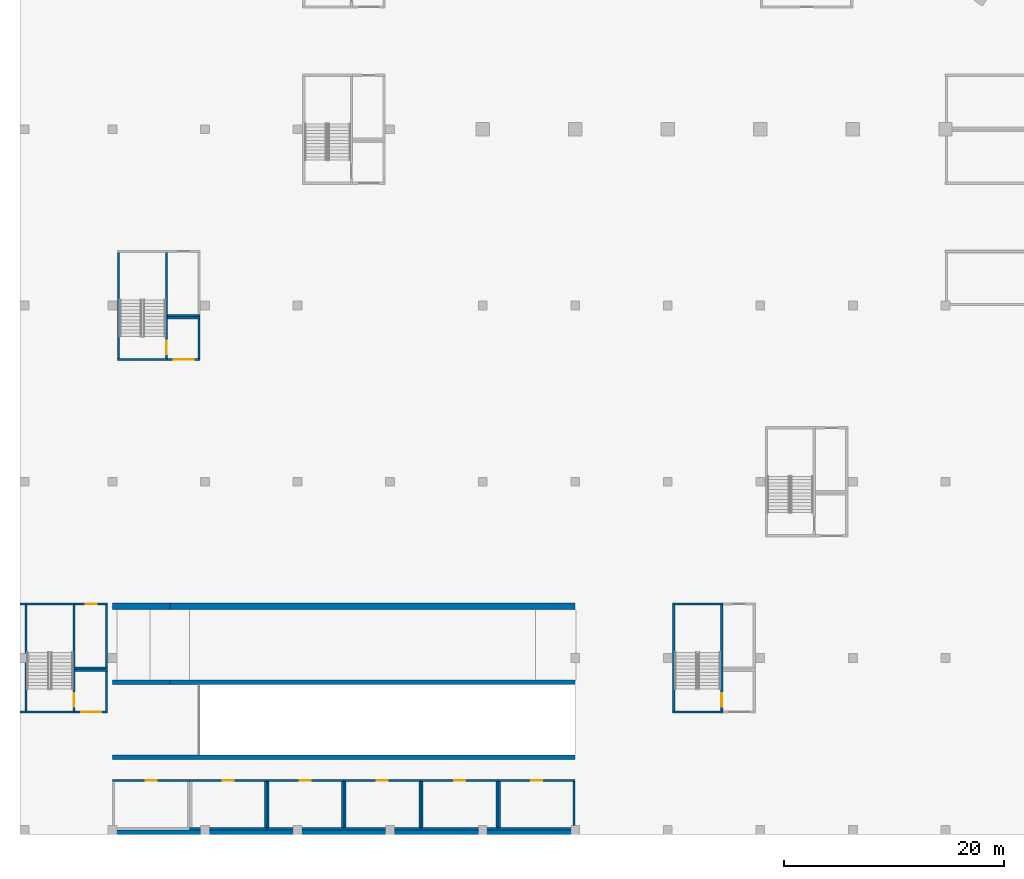
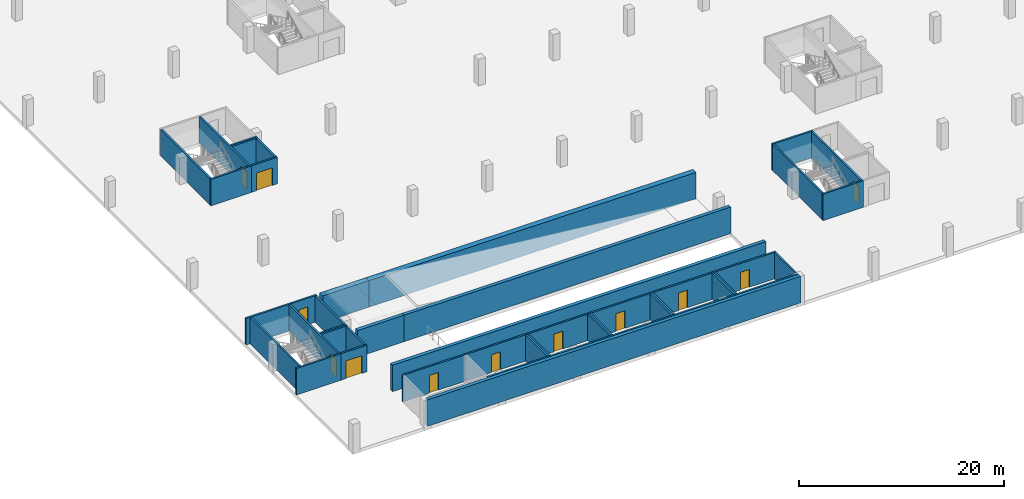
# One storey, part 4 of 37: 47 walls, 12 doors, 12 openings.
"""IFC4 building model written with IfcOpenShell, lengths in metres."""

from ifc_helpers import new_model, si_unit, direction, frame, frame_2d, origin, place, context, subcontext, project, spatial, rectangle, extrude, material, layer, layer_set, type_object, element, fill, save


model = new_model("IFC4")

# Units and contexts
model_context = context("Model", 3, precision=1e-05, world=origin(), true_north=direction((0.0, 1.0)))
body_context = subcontext(model_context, "Body", "Model", "MODEL_VIEW")
ifc_project = project(units=[si_unit("LENGTHUNIT", "METRE"), si_unit("AREAUNIT", "SQUARE_METRE"), si_unit("VOLUMEUNIT", "CUBIC_METRE"), si_unit("PLANEANGLEUNIT", "RADIAN"), si_unit("MASSUNIT", "GRAM", prefix="KILO")], contexts=[model_context])

# Site, building, storey
site_placement = place(None, origin())
site = spatial("IfcSite", under=ifc_project, at=site_placement, CompositionType="ELEMENT")
building_placement = place(site_placement, origin())
building = spatial("IfcBuilding", under=site, at=building_placement, Name="Tamra Quay Hotel Tower", CompositionType="ELEMENT")
storey_placement = place(building_placement, frame((0.0, 0.0, -3.60009765625)))
storey = spatial("IfcBuildingStorey", under=building, at=storey_placement, Name="B1", CompositionType="ELEMENT", Elevation=-3.60009765625)

# Wall, opening, door
ifc_material_1 = material(Name="Blockwork", Category="masonry")
ifc_layer_1 = layer(ifc_material_1, 0.199951171875)
ifc_layer_set_1 = layer_set([ifc_layer_1], Name="Car park room wall 200")
wall_type_1 = type_object("IfcWallType", Name="Car park room wall 200", PredefinedType="PARTITIONING", material=ifc_layer_set_1)
wall_1_placement = place(storey_placement, frame((-114.300048828125, -75.10009765625, 0.0), z_axis=(0.0, 0.0, 1.0), x_axis=(1.0, 0.0, 0.0)))
wall_1 = element("IfcWall", 1, at=wall_1_placement, inside=storey, type_object=wall_type_1, Name="PW", PredefinedType="PARTITIONING", context=body_context, shape_type="SweptSolid", body=[
    extrude(rectangle(XDim=7.0, YDim=0.199951171875, at=frame_2d((3.5, 0.0))), origin(), (0.0, 0.0, 1.0), 3.150146484375),
])
opening_1_placement = place(wall_1_placement, frame((3.0, 0.0, 0.0)))
opening_1 = element("IfcOpeningElement", 2, at=opening_1_placement, cuts=wall_1, Name="Opening PD1", PredefinedType="OPENING", context=body_context, shape_type="SweptSolid", body=[
    extrude(rectangle(XDim=1.0, YDim=2.10009765625, at=frame_2d((0.5, 1.050048828125))), frame((0.0, 0.10986328125, 0.0), z_axis=(0.0, -1.0, 0.0), x_axis=(1.0, 0.0, 0.0)), (0.0, 0.0, 1.0), 0.219970703125),
])
ifc_material_2 = material(Name="Car park door 1000 x 2100")
door_type_1 = type_object("IfcDoorType", Name="Car park door 1000 x 2100", OperationType="NOTDEFINED", PredefinedType="DOOR", material=ifc_material_2)
door_1_placement = place(opening_1_placement, origin())
door_1 = element("IfcDoor", 3, at=door_1_placement, inside=storey, type_object=door_type_1, Name="PD1", OperationType="SINGLE_SWING_LEFT", OverallHeight=2.10009765625, OverallWidth=1.0, PredefinedType="DOOR", context=body_context, shape_type="SweptSolid", body=[
    extrude(rectangle(XDim=1.0, YDim=2.10009765625, at=frame_2d((0.5, 1.050048828125))), frame((0.0, 0.02490234375, 0.0), z_axis=(0.0, -1.0, 0.0), x_axis=(1.0, 0.0, 0.0)), (0.0, 0.0, 1.0), 0.050048828125),
])
fill(opening_1, door_1)

# Wall
wall_2_placement = place(storey_placement, frame((-107.300048828125, -79.5, 0.0), z_axis=(0.0, 0.0, 1.0), x_axis=(1.0, 0.0, 0.0)))
element("IfcWall", 4, at=wall_2_placement, inside=storey, type_object=wall_type_1, Name="PW", PredefinedType="PARTITIONING", context=body_context, shape_type="SweptSolid", body=[
    extrude(rectangle(XDim=7.0, YDim=0.199951171875, at=frame_2d((3.5, 0.0))), origin(), (0.0, 0.0, 1.0), 3.150146484375),
])

# Wall, opening, door
wall_3_placement = place(storey_placement, frame((-107.300048828125, -75.10009765625, 0.0), z_axis=(0.0, 0.0, 1.0), x_axis=(1.0, 0.0, 0.0)))
wall_3 = element("IfcWall", 5, at=wall_3_placement, inside=storey, type_object=wall_type_1, Name="PW", PredefinedType="PARTITIONING", context=body_context, shape_type="SweptSolid", body=[
    extrude(rectangle(XDim=7.0, YDim=0.199951171875, at=frame_2d((3.5, 0.0))), origin(), (0.0, 0.0, 1.0), 3.150146484375),
])
opening_2_placement = place(wall_3_placement, frame((3.0, 0.0, 0.0)))
opening_2 = element("IfcOpeningElement", 6, at=opening_2_placement, cuts=wall_3, Name="Opening PD1", PredefinedType="OPENING", context=body_context, shape_type="SweptSolid", body=[
    extrude(rectangle(XDim=1.0, YDim=2.10009765625, at=frame_2d((0.5, 1.050048828125))), frame((0.0, 0.10986328125, 0.0), z_axis=(0.0, -1.0, 0.0), x_axis=(1.0, 0.0, 0.0)), (0.0, 0.0, 1.0), 0.219970703125),
])
door_2_placement = place(opening_2_placement, origin())
door_2 = element("IfcDoor", 7, at=door_2_placement, inside=storey, type_object=door_type_1, Name="PD1", OperationType="SINGLE_SWING_LEFT", OverallHeight=2.10009765625, OverallWidth=1.0, PredefinedType="DOOR", context=body_context, shape_type="SweptSolid", body=[
    extrude(rectangle(XDim=1.0, YDim=2.10009765625, at=frame_2d((0.5, 1.050048828125))), frame((0.0, 0.02490234375, 0.0), z_axis=(0.0, -1.0, 0.0), x_axis=(1.0, 0.0, 0.0)), (0.0, 0.0, 1.0), 0.050048828125),
])
fill(opening_2, door_2)

# Walls
wall_4_placement = place(storey_placement, frame((-100.39990234375, -79.39990234375, 0.0), z_axis=(0.0, 0.0, 1.0), x_axis=(0.0, 1.0, 0.0)))
element("IfcWall", 8, at=wall_4_placement, inside=storey, type_object=wall_type_1, Name="PW", PredefinedType="PARTITIONING", context=body_context, shape_type="SweptSolid", body=[
    extrude(rectangle(XDim=4.199951171875, YDim=0.199951171875, at=frame_2d((2.10009765625, 0.0))), origin(), (0.0, 0.0, 1.0), 3.150146484375),
])
wall_5_placement = place(storey_placement, frame((-100.300048828125, -79.5, 0.0), z_axis=(0.0, 0.0, 1.0), x_axis=(1.0, 0.0, 0.0)))
element("IfcWall", 9, at=wall_5_placement, inside=storey, type_object=wall_type_1, Name="PW", PredefinedType="PARTITIONING", context=body_context, shape_type="SweptSolid", body=[
    extrude(rectangle(XDim=7.0, YDim=0.199951171875, at=frame_2d((3.5, 0.0))), origin(), (0.0, 0.0, 1.0), 3.150146484375),
])

# Wall, opening, door
wall_6_placement = place(storey_placement, frame((-100.300048828125, -75.10009765625, 0.0), z_axis=(0.0, 0.0, 1.0), x_axis=(1.0, 0.0, 0.0)))
wall_6 = element("IfcWall", 10, at=wall_6_placement, inside=storey, type_object=wall_type_1, Name="PW", PredefinedType="PARTITIONING", context=body_context, shape_type="SweptSolid", body=[
    extrude(rectangle(XDim=7.0, YDim=0.199951171875, at=frame_2d((3.5, 0.0))), origin(), (0.0, 0.0, 1.0), 3.150146484375),
])
opening_3_placement = place(wall_6_placement, frame((3.0, 0.0, 0.0)))
opening_3 = element("IfcOpeningElement", 11, at=opening_3_placement, cuts=wall_6, Name="Opening PD1", PredefinedType="OPENING", context=body_context, shape_type="SweptSolid", body=[
    extrude(rectangle(XDim=1.0, YDim=2.10009765625, at=frame_2d((0.5, 1.050048828125))), frame((0.0, 0.10986328125, 0.0), z_axis=(0.0, -1.0, 0.0), x_axis=(1.0, 0.0, 0.0)), (0.0, 0.0, 1.0), 0.219970703125),
])
door_3_placement = place(opening_3_placement, origin())
door_3 = element("IfcDoor", 12, at=door_3_placement, inside=storey, type_object=door_type_1, Name="PD1", OperationType="SINGLE_SWING_LEFT", OverallHeight=2.10009765625, OverallWidth=1.0, PredefinedType="DOOR", context=body_context, shape_type="SweptSolid", body=[
    extrude(rectangle(XDim=1.0, YDim=2.10009765625, at=frame_2d((0.5, 1.050048828125))), frame((0.0, 0.02490234375, 0.0), z_axis=(0.0, -1.0, 0.0), x_axis=(1.0, 0.0, 0.0)), (0.0, 0.0, 1.0), 0.050048828125),
])
fill(opening_3, door_3)

# Walls
for number, where, z_axis, x_axis, name in (
    (13, (-100.199951171875, -79.39990234375, 0.0), (0.0, 0.0, 1.0), (0.0, 1.0, 0.0), "PW"),
    (14, (-93.39990234375, -79.39990234375, 0.0), (0.0, 0.0, 1.0), (0.0, 1.0, 0.0), "PW"),
):
    element("IfcWall", number, at=place(storey_placement, frame(where, z_axis=z_axis, x_axis=x_axis)), inside=storey, type_object=wall_type_1, Name=name, PredefinedType="PARTITIONING", context=body_context, shape_type="SweptSolid", body=[
        extrude(rectangle(XDim=4.199951171875, YDim=0.199951171875, at=frame_2d((2.10009765625, 0.0))), origin(), (0.0, 0.0, 1.0), 3.150146484375),
    ])
wall_7_placement = place(storey_placement, frame((-93.300048828125, -79.5, 0.0), z_axis=(0.0, 0.0, 1.0), x_axis=(1.0, 0.0, 0.0)))
element("IfcWall", 15, at=wall_7_placement, inside=storey, type_object=wall_type_1, Name="PW", PredefinedType="PARTITIONING", context=body_context, shape_type="SweptSolid", body=[
    extrude(rectangle(XDim=7.0, YDim=0.199951171875, at=frame_2d((3.5, 0.0))), origin(), (0.0, 0.0, 1.0), 3.150146484375),
])

# Wall, opening, door
wall_8_placement = place(storey_placement, frame((-93.300048828125, -75.10009765625, 0.0), z_axis=(0.0, 0.0, 1.0), x_axis=(1.0, 0.0, 0.0)))
wall_8 = element("IfcWall", 16, at=wall_8_placement, inside=storey, type_object=wall_type_1, Name="PW", PredefinedType="PARTITIONING", context=body_context, shape_type="SweptSolid", body=[
    extrude(rectangle(XDim=7.0, YDim=0.199951171875, at=frame_2d((3.5, 0.0))), origin(), (0.0, 0.0, 1.0), 3.150146484375),
])
opening_4_placement = place(wall_8_placement, frame((3.0, 0.0, 0.0)))
opening_4 = element("IfcOpeningElement", 17, at=opening_4_placement, cuts=wall_8, Name="Opening PD1", PredefinedType="OPENING", context=body_context, shape_type="SweptSolid", body=[
    extrude(rectangle(XDim=1.0, YDim=2.10009765625, at=frame_2d((0.5, 1.050048828125))), frame((0.0, 0.10986328125, 0.0), z_axis=(0.0, -1.0, 0.0), x_axis=(1.0, 0.0, 0.0)), (0.0, 0.0, 1.0), 0.219970703125),
])
door_4_placement = place(opening_4_placement, origin())
door_4 = element("IfcDoor", 18, at=door_4_placement, inside=storey, type_object=door_type_1, Name="PD1", OperationType="SINGLE_SWING_LEFT", OverallHeight=2.10009765625, OverallWidth=1.0, PredefinedType="DOOR", context=body_context, shape_type="SweptSolid", body=[
    extrude(rectangle(XDim=1.0, YDim=2.10009765625, at=frame_2d((0.5, 1.050048828125))), frame((0.0, 0.02490234375, 0.0), z_axis=(0.0, -1.0, 0.0), x_axis=(1.0, 0.0, 0.0)), (0.0, 0.0, 1.0), 0.050048828125),
])
fill(opening_4, door_4)

# Walls
for number, where, z_axis, x_axis, name in (
    (19, (-93.199951171875, -79.39990234375, 0.0), (0.0, 0.0, 1.0), (0.0, 1.0, 0.0), "PW"),
    (20, (-86.39990234375, -79.39990234375, 0.0), (0.0, 0.0, 1.0), (0.0, 1.0, 0.0), "PW"),
):
    element("IfcWall", number, at=place(storey_placement, frame(where, z_axis=z_axis, x_axis=x_axis)), inside=storey, type_object=wall_type_1, Name=name, PredefinedType="PARTITIONING", context=body_context, shape_type="SweptSolid", body=[
        extrude(rectangle(XDim=4.199951171875, YDim=0.199951171875, at=frame_2d((2.10009765625, 0.0))), origin(), (0.0, 0.0, 1.0), 3.150146484375),
    ])
wall_9_placement = place(storey_placement, frame((-86.300048828125, -79.5, 0.0), z_axis=(0.0, 0.0, 1.0), x_axis=(1.0, 0.0, 0.0)))
element("IfcWall", 21, at=wall_9_placement, inside=storey, type_object=wall_type_1, Name="PW", PredefinedType="PARTITIONING", context=body_context, shape_type="SweptSolid", body=[
    extrude(rectangle(XDim=7.0, YDim=0.199951171875, at=frame_2d((3.5, 0.0))), origin(), (0.0, 0.0, 1.0), 3.150146484375),
])

# Wall, opening, door
wall_10_placement = place(storey_placement, frame((-86.300048828125, -75.10009765625, 0.0), z_axis=(0.0, 0.0, 1.0), x_axis=(1.0, 0.0, 0.0)))
wall_10 = element("IfcWall", 22, at=wall_10_placement, inside=storey, type_object=wall_type_1, Name="PW", PredefinedType="PARTITIONING", context=body_context, shape_type="SweptSolid", body=[
    extrude(rectangle(XDim=7.0, YDim=0.199951171875, at=frame_2d((3.5, 0.0))), origin(), (0.0, 0.0, 1.0), 3.150146484375),
])
opening_5_placement = place(wall_10_placement, frame((3.0, 0.0, 0.0)))
opening_5 = element("IfcOpeningElement", 23, at=opening_5_placement, cuts=wall_10, Name="Opening PD1", PredefinedType="OPENING", context=body_context, shape_type="SweptSolid", body=[
    extrude(rectangle(XDim=1.0, YDim=2.10009765625, at=frame_2d((0.5, 1.050048828125))), frame((0.0, 0.10986328125, 0.0), z_axis=(0.0, -1.0, 0.0), x_axis=(1.0, 0.0, 0.0)), (0.0, 0.0, 1.0), 0.219970703125),
])
door_5_placement = place(opening_5_placement, origin())
door_5 = element("IfcDoor", 24, at=door_5_placement, inside=storey, type_object=door_type_1, Name="PD1", OperationType="SINGLE_SWING_LEFT", OverallHeight=2.10009765625, OverallWidth=1.0, PredefinedType="DOOR", context=body_context, shape_type="SweptSolid", body=[
    extrude(rectangle(XDim=1.0, YDim=2.10009765625, at=frame_2d((0.5, 1.050048828125))), frame((0.0, 0.02490234375, 0.0), z_axis=(0.0, -1.0, 0.0), x_axis=(1.0, 0.0, 0.0)), (0.0, 0.0, 1.0), 0.050048828125),
])
fill(opening_5, door_5)

# Walls
for number, where, z_axis, x_axis, name in (
    (25, (-86.199951171875, -79.39990234375, 0.0), (0.0, 0.0, 1.0), (0.0, 1.0, 0.0), "PW"),
    (26, (-79.39990234375, -79.39990234375, 0.0), (0.0, 0.0, 1.0), (0.0, 1.0, 0.0), "PW"),
):
    element("IfcWall", number, at=place(storey_placement, frame(where, z_axis=z_axis, x_axis=x_axis)), inside=storey, type_object=wall_type_1, Name=name, PredefinedType="PARTITIONING", context=body_context, shape_type="SweptSolid", body=[
        extrude(rectangle(XDim=4.199951171875, YDim=0.199951171875, at=frame_2d((2.10009765625, 0.0))), origin(), (0.0, 0.0, 1.0), 3.150146484375),
    ])
wall_11_placement = place(storey_placement, frame((-79.300048828125, -79.5, 0.0), z_axis=(0.0, 0.0, 1.0), x_axis=(1.0, 0.0, 0.0)))
element("IfcWall", 27, at=wall_11_placement, inside=storey, type_object=wall_type_1, Name="PW", PredefinedType="PARTITIONING", context=body_context, shape_type="SweptSolid", body=[
    extrude(rectangle(XDim=7.0, YDim=0.199951171875, at=frame_2d((3.5, 0.0))), origin(), (0.0, 0.0, 1.0), 3.150146484375),
])

# Wall, opening, door
wall_12_placement = place(storey_placement, frame((-79.300048828125, -75.10009765625, 0.0), z_axis=(0.0, 0.0, 1.0), x_axis=(1.0, 0.0, 0.0)))
wall_12 = element("IfcWall", 28, at=wall_12_placement, inside=storey, type_object=wall_type_1, Name="PW", PredefinedType="PARTITIONING", context=body_context, shape_type="SweptSolid", body=[
    extrude(rectangle(XDim=7.0, YDim=0.199951171875, at=frame_2d((3.5, 0.0))), origin(), (0.0, 0.0, 1.0), 3.150146484375),
])
opening_6_placement = place(wall_12_placement, frame((3.0, 0.0, 0.0)))
opening_6 = element("IfcOpeningElement", 29, at=opening_6_placement, cuts=wall_12, Name="Opening PD1", PredefinedType="OPENING", context=body_context, shape_type="SweptSolid", body=[
    extrude(rectangle(XDim=1.0, YDim=2.10009765625, at=frame_2d((0.5, 1.050048828125))), frame((0.0, 0.10986328125, 0.0), z_axis=(0.0, -1.0, 0.0), x_axis=(1.0, 0.0, 0.0)), (0.0, 0.0, 1.0), 0.219970703125),
])
door_6_placement = place(opening_6_placement, origin())
door_6 = element("IfcDoor", 30, at=door_6_placement, inside=storey, type_object=door_type_1, Name="PD1", OperationType="SINGLE_SWING_LEFT", OverallHeight=2.10009765625, OverallWidth=1.0, PredefinedType="DOOR", context=body_context, shape_type="SweptSolid", body=[
    extrude(rectangle(XDim=1.0, YDim=2.10009765625, at=frame_2d((0.5, 1.050048828125))), frame((0.0, 0.02490234375, 0.0), z_axis=(0.0, -1.0, 0.0), x_axis=(1.0, 0.0, 0.0)), (0.0, 0.0, 1.0), 0.050048828125),
])
fill(opening_6, door_6)

# Walls
wall_13_placement = place(storey_placement, frame((-79.199951171875, -79.39990234375, 0.0), z_axis=(0.0, 0.0, 1.0), x_axis=(0.0, 1.0, 0.0)))
element("IfcWall", 31, at=wall_13_placement, inside=storey, type_object=wall_type_1, Name="PW", PredefinedType="PARTITIONING", context=body_context, shape_type="SweptSolid", body=[
    extrude(rectangle(XDim=4.199951171875, YDim=0.199951171875, at=frame_2d((2.10009765625, 0.0))), origin(), (0.0, 0.0, 1.0), 3.150146484375),
])
wall_14_placement = place(storey_placement, frame((-72.39990234375, -79.199951171875, 0.0), z_axis=(0.0, 0.0, 1.0), x_axis=(0.0, 1.0, 0.0)))
element("IfcWall", 32, at=wall_14_placement, inside=storey, type_object=wall_type_1, Name="PW", PredefinedType="PARTITIONING", context=body_context, shape_type="SweptSolid", body=[
    extrude(rectangle(XDim=4.0, YDim=0.199951171875, at=frame_2d((2.0, 0.0))), origin(), (0.0, 0.0, 1.0), 3.150146484375),
])

# Wall, opening, door
wall_15_placement = place(storey_placement, frame((-109.300048828125, -36.89990234375, 0.0), z_axis=(0.0, 0.0, 1.0), x_axis=(1.0, 0.0, 0.0)))
wall_15 = element("IfcWall", 33, at=wall_15_placement, inside=storey, type_object=wall_type_1, Name="PW", PredefinedType="PARTITIONING", context=body_context, shape_type="SweptSolid", body=[
    extrude(rectangle(XDim=2.949951171875, YDim=0.199951171875, at=frame_2d((1.47509765625, 0.0))), origin(), (0.0, 0.0, 1.0), 3.150146484375),
])
opening_7_placement = place(wall_15_placement, frame((0.574951171875, 0.0, 0.0)))
opening_7 = element("IfcOpeningElement", 34, at=opening_7_placement, cuts=wall_15, Name="Opening PD2", PredefinedType="OPENING", context=body_context, shape_type="SweptSolid", body=[
    extrude(rectangle(XDim=1.800048828125, YDim=2.10009765625, at=frame_2d((0.89990234375, 1.050048828125))), frame((0.0, 0.10986328125, 0.0), z_axis=(0.0, -1.0, 0.0), x_axis=(1.0, 0.0, 0.0)), (0.0, 0.0, 1.0), 0.219970703125),
])
ifc_material_3 = material(Name="Plant door 1800 x 2100")
door_type_2 = type_object("IfcDoorType", Name="Plant door 1800 x 2100", OperationType="DOUBLE_DOOR_SINGLE_SWING", PredefinedType="DOOR", material=ifc_material_3)
door_7_placement = place(opening_7_placement, origin())
door_7 = element("IfcDoor", 35, at=door_7_placement, inside=storey, type_object=door_type_2, Name="PD2", OperationType="DOUBLE_DOOR_SINGLE_SWING", OverallHeight=2.10009765625, OverallWidth=1.800048828125, PredefinedType="DOOR", context=body_context, shape_type="SweptSolid", body=[
    extrude(rectangle(XDim=1.800048828125, YDim=2.10009765625, at=frame_2d((0.89990234375, 1.050048828125))), frame((0.0, 0.02490234375, 0.0), z_axis=(0.0, -1.0, 0.0), x_axis=(1.0, 0.0, 0.0)), (0.0, 0.0, 1.0), 0.050048828125),
])
fill(opening_7, door_7)

# Walls
wall_16_placement = place(storey_placement, frame((-109.300048828125, -33.10009765625, 0.0), z_axis=(0.0, 0.0, 1.0), x_axis=(1.0, 0.0, 0.0)))
element("IfcWall", 36, at=wall_16_placement, inside=storey, type_object=wall_type_1, Name="PW", PredefinedType="PARTITIONING", context=body_context, shape_type="SweptSolid", body=[
    extrude(rectangle(XDim=2.949951171875, YDim=0.199951171875, at=frame_2d((1.47509765625, 0.0))), origin(), (0.0, 0.0, 1.0), 3.150146484375),
])
wall_17_placement = place(storey_placement, frame((-106.449951171875, -36.800048828125, 0.0), z_axis=(0.0, 0.0, 1.0), x_axis=(0.0, 1.0, 0.0)))
element("IfcWall", 37, at=wall_17_placement, inside=storey, type_object=wall_type_1, Name="PW", PredefinedType="PARTITIONING", context=body_context, shape_type="SweptSolid", body=[
    extrude(rectangle(XDim=3.60009765625, YDim=0.199951171875, at=frame_2d((1.800048828125, 0.0))), origin(), (0.0, 0.0, 1.0), 3.150146484375),
])
wall_18_placement = place(storey_placement, frame((-109.300048828125, -32.89990234375, 0.0), z_axis=(0.0, 0.0, 1.0), x_axis=(1.0, 0.0, 0.0)))
element("IfcWall", 38, at=wall_18_placement, inside=storey, type_object=wall_type_1, Name="PW", PredefinedType="PARTITIONING", context=body_context, shape_type="SweptSolid", body=[
    extrude(rectangle(XDim=2.949951171875, YDim=0.199951171875, at=frame_2d((1.47509765625, 0.0))), origin(), (0.0, 0.0, 1.0), 3.150146484375),
])

# Wall, opening, door
wall_19_placement = place(storey_placement, frame((-117.699951171875, -68.89990234375, 0.0), z_axis=(0.0, 0.0, 1.0), x_axis=(1.0, 0.0, 0.0)))
wall_19 = element("IfcWall", 39, at=wall_19_placement, inside=storey, type_object=wall_type_1, Name="PW", PredefinedType="PARTITIONING", context=body_context, shape_type="SweptSolid", body=[
    extrude(rectangle(XDim=2.949951171875, YDim=0.199951171875, at=frame_2d((1.47509765625, 0.0))), origin(), (0.0, 0.0, 1.0), 3.150146484375),
])
opening_8_placement = place(wall_19_placement, frame((0.574951171875, 0.0, 0.0)))
opening_8 = element("IfcOpeningElement", 40, at=opening_8_placement, cuts=wall_19, Name="Opening PD2", PredefinedType="OPENING", context=body_context, shape_type="SweptSolid", body=[
    extrude(rectangle(XDim=1.800048828125, YDim=2.10009765625, at=frame_2d((0.89990234375, 1.050048828125))), frame((0.0, 0.10986328125, 0.0), z_axis=(0.0, -1.0, 0.0), x_axis=(1.0, 0.0, 0.0)), (0.0, 0.0, 1.0), 0.219970703125),
])
door_8_placement = place(opening_8_placement, origin())
door_8 = element("IfcDoor", 41, at=door_8_placement, inside=storey, type_object=door_type_2, Name="PD2", OperationType="DOUBLE_DOOR_SINGLE_SWING", OverallHeight=2.10009765625, OverallWidth=1.800048828125, PredefinedType="DOOR", context=body_context, shape_type="SweptSolid", body=[
    extrude(rectangle(XDim=1.800048828125, YDim=2.10009765625, at=frame_2d((0.89990234375, 1.050048828125))), frame((0.0, 0.02490234375, 0.0), z_axis=(0.0, -1.0, 0.0), x_axis=(1.0, 0.0, 0.0)), (0.0, 0.0, 1.0), 0.050048828125),
])
fill(opening_8, door_8)

# Walls
wall_20_placement = place(storey_placement, frame((-117.699951171875, -65.10009765625, 0.0), z_axis=(0.0, 0.0, 1.0), x_axis=(1.0, 0.0, 0.0)))
element("IfcWall", 42, at=wall_20_placement, inside=storey, type_object=wall_type_1, Name="PW", PredefinedType="PARTITIONING", context=body_context, shape_type="SweptSolid", body=[
    extrude(rectangle(XDim=2.949951171875, YDim=0.199951171875, at=frame_2d((1.47509765625, 0.0))), origin(), (0.0, 0.0, 1.0), 3.150146484375),
])
wall_21_placement = place(storey_placement, frame((-114.85009765625, -68.800048828125, 0.0), z_axis=(0.0, 0.0, 1.0), x_axis=(0.0, 1.0, 0.0)))
element("IfcWall", 43, at=wall_21_placement, inside=storey, type_object=wall_type_1, Name="PW", PredefinedType="PARTITIONING", context=body_context, shape_type="SweptSolid", body=[
    extrude(rectangle(XDim=3.60009765625, YDim=0.199951171875, at=frame_2d((1.800048828125, 0.0))), origin(), (0.0, 0.0, 1.0), 3.150146484375),
])
wall_22_placement = place(storey_placement, frame((-117.699951171875, -64.89990234375, 0.0), z_axis=(0.0, 0.0, 1.0), x_axis=(1.0, 0.0, 0.0)))
element("IfcWall", 44, at=wall_22_placement, inside=storey, type_object=wall_type_1, Name="PW", PredefinedType="PARTITIONING", context=body_context, shape_type="SweptSolid", body=[
    extrude(rectangle(XDim=2.949951171875, YDim=0.199951171875, at=frame_2d((1.47509765625, 0.0))), origin(), (0.0, 0.0, 1.0), 3.150146484375),
])

# Wall, opening, door
wall_23_placement = place(storey_placement, frame((-117.699951171875, -59.10009765625, 0.0), z_axis=(0.0, 0.0, 1.0), x_axis=(1.0, 0.0, 0.0)))
wall_23 = element("IfcWall", 45, at=wall_23_placement, inside=storey, type_object=wall_type_1, Name="PW", PredefinedType="PARTITIONING", context=body_context, shape_type="SweptSolid", body=[
    extrude(rectangle(XDim=2.949951171875, YDim=0.199951171875, at=frame_2d((1.47509765625, 0.0))), origin(), (0.0, 0.0, 1.0), 3.150146484375),
])
opening_9_placement = place(wall_23_placement, frame((0.97509765625, 0.0, 0.0)))
opening_9 = element("IfcOpeningElement", 46, at=opening_9_placement, cuts=wall_23, Name="Opening PD1", PredefinedType="OPENING", context=body_context, shape_type="SweptSolid", body=[
    extrude(rectangle(XDim=1.0, YDim=2.10009765625, at=frame_2d((0.5, 1.050048828125))), frame((0.0, 0.10986328125, 0.0), z_axis=(0.0, -1.0, 0.0), x_axis=(1.0, 0.0, 0.0)), (0.0, 0.0, 1.0), 0.219970703125),
])
door_9_placement = place(opening_9_placement, origin())
door_9 = element("IfcDoor", 47, at=door_9_placement, inside=storey, type_object=door_type_1, Name="PD1", OperationType="SINGLE_SWING_LEFT", OverallHeight=2.10009765625, OverallWidth=1.0, PredefinedType="DOOR", context=body_context, shape_type="SweptSolid", body=[
    extrude(rectangle(XDim=1.0, YDim=2.10009765625, at=frame_2d((0.5, 1.050048828125))), frame((0.0, 0.02490234375, 0.0), z_axis=(0.0, -1.0, 0.0), x_axis=(1.0, 0.0, 0.0)), (0.0, 0.0, 1.0), 0.050048828125),
])
fill(opening_9, door_9)

# Walls
wall_24_placement = place(storey_placement, frame((-114.85009765625, -64.800048828125, 0.0), z_axis=(0.0, 0.0, 1.0), x_axis=(0.0, 1.0, 0.0)))
element("IfcWall", 48, at=wall_24_placement, inside=storey, type_object=wall_type_1, Name="PW", PredefinedType="PARTITIONING", context=body_context, shape_type="SweptSolid", body=[
    extrude(rectangle(XDim=5.60009765625, YDim=0.199951171875, at=frame_2d((2.800048828125, 0.0))), origin(), (0.0, 0.0, 1.0), 3.150146484375),
])
ifc_material_4 = material(Name="Concrete M60", Category="concrete")
ifc_layer_2 = layer(ifc_material_4, 0.39990234375)
ifc_layer_set_2 = layer_set([ifc_layer_2], Name="Concrete M60 ramp kerb wall 400")
wall_type_2 = type_object("IfcWallType", Name="Concrete M60 ramp kerb wall 400", PredefinedType="SOLIDWALL", material=ifc_layer_set_2)
for number, where, z_axis, x_axis, name in (
    (49, (-114.300048828125, -79.800048828125, 0.0), (0.0, 0.0, 1.0), (1.0, 0.0, 0.0), "RW4"),
    (50, (-114.300048828125, -73.0, 0.0), (0.0, 0.0, 1.0), (1.0, 0.0, 0.0), "RW4"),
):
    element("IfcWall", number, at=place(storey_placement, frame(where, z_axis=z_axis, x_axis=x_axis)), inside=storey, type_object=wall_type_2, Name=name, PredefinedType="SOLIDWALL", context=body_context, shape_type="SweptSolid", body=[
        extrude(rectangle(XDim=42.0, YDim=0.39990234375, at=frame_2d((21.0, 0.0))), origin(), (0.0, 0.0, 1.0), 3.150146484375),
    ])
wall_25_placement = place(storey_placement, frame((-114.300048828125, -66.199951171875, 0.0), z_axis=(0.0, 0.0, 1.0), x_axis=(1.0, 0.0, 0.0)))
element("IfcWall", 51, at=wall_25_placement, inside=storey, type_object=wall_type_2, Name="RW4", PredefinedType="SOLIDWALL", context=body_context, shape_type="SweptSolid", body=[
    extrude(rectangle(XDim=5.199951171875, YDim=0.39990234375, at=frame_2d((2.60009765625, 0.0))), origin(), (0.0, 0.0, 1.0), 3.150146484375),
])
wall_26_placement = place(storey_placement, frame((-109.10009765625, -66.199951171875, 0.0), z_axis=(0.0, 0.0, 1.0), x_axis=(1.0, 0.0, 0.0)))
element("IfcWall", 52, at=wall_26_placement, inside=storey, type_object=wall_type_2, Name="RW4", PredefinedType="SOLIDWALL", context=body_context, shape_type="SweptSolid", body=[
    extrude(rectangle(XDim=36.800048828125, YDim=0.39990234375, at=frame_2d((18.39990234375, 0.0))), origin(), (0.0, 0.0, 1.0), 3.150146484375),
])
ifc_layer_3 = layer(ifc_material_4, 0.60009765625)
ifc_layer_set_3 = layer_set([ifc_layer_3], Name="Concrete M60 ramp kerb wall 600")
wall_type_3 = type_object("IfcWallType", Name="Concrete M60 ramp kerb wall 600", PredefinedType="SOLIDWALL", material=ifc_layer_set_3)
wall_27_placement = place(storey_placement, frame((-114.300048828125, -59.300048828125, 0.0), z_axis=(0.0, 0.0, 1.0), x_axis=(1.0, 0.0, 0.0)))
element("IfcWall", 53, at=wall_27_placement, inside=storey, type_object=wall_type_3, Name="RW6", PredefinedType="SOLIDWALL", context=body_context, shape_type="SweptSolid", body=[
    extrude(rectangle(XDim=5.199951171875, YDim=0.60009765625, at=frame_2d((2.60009765625, 0.0))), origin(), (0.0, 0.0, 1.0), 3.150146484375),
])
wall_28_placement = place(storey_placement, frame((-109.10009765625, -59.300048828125, 0.0), z_axis=(0.0, 0.0, 1.0), x_axis=(1.0, 0.0, 0.0)))
element("IfcWall", 54, at=wall_28_placement, inside=storey, type_object=wall_type_3, Name="RW6", PredefinedType="SOLIDWALL", context=body_context, shape_type="SweptSolid", body=[
    extrude(rectangle(XDim=36.800048828125, YDim=0.60009765625, at=frame_2d((18.39990234375, 0.0))), origin(), (0.0, 0.0, 1.0), 3.150146484375),
])
ifc_material_5 = material(Name="Concrete M70", Category="concrete")
ifc_layer_4 = layer(ifc_material_5, 0.199951171875)
ifc_layer_set_4 = layer_set([ifc_layer_4], Name="Concrete M70 stair enclosure wall 200")
wall_type_4 = type_object("IfcWallType", Name="Concrete M70 stair enclosure wall 200", PredefinedType="SOLIDWALL", material=ifc_layer_set_4)
wall_29_placement = place(storey_placement, frame((-113.75, -36.800048828125, 0.0), z_axis=(0.0, 0.0, 1.0), x_axis=(0.0, 1.0, 0.0)))
element("IfcWall", 55, at=wall_29_placement, inside=storey, type_object=wall_type_4, Name="SEW", PredefinedType="SOLIDWALL", context=body_context, shape_type="SweptSolid", body=[
    extrude(rectangle(XDim=9.60009765625, YDim=0.199951171875, at=frame_2d((4.800048828125, 0.0))), origin(), (0.0, 0.0, 1.0), 3.150146484375),
])

# Wall, opening, door
wall_30_placement = place(storey_placement, frame((-109.39990234375, -36.800048828125, 0.0), z_axis=(0.0, 0.0, 1.0), x_axis=(0.0, 1.0, 0.0)))
wall_30 = element("IfcWall", 56, at=wall_30_placement, inside=storey, type_object=wall_type_4, Name="SEW", PredefinedType="SOLIDWALL", context=body_context, shape_type="SweptSolid", body=[
    extrude(rectangle(XDim=9.60009765625, YDim=0.199951171875, at=frame_2d((4.800048828125, 0.0))), origin(), (0.0, 0.0, 1.0), 3.150146484375),
])
opening_10_placement = place(wall_30_placement, frame((0.39990234375, 0.0, 0.0)))
opening_10 = element("IfcOpeningElement", 57, at=opening_10_placement, cuts=wall_30, Name="Opening SD1", PredefinedType="OPENING", context=body_context, shape_type="SweptSolid", body=[
    extrude(rectangle(XDim=1.199951171875, YDim=2.10009765625, at=frame_2d((0.60009765625, 1.050048828125))), frame((0.0, 0.10986328125, 0.0), z_axis=(0.0, -1.0, 0.0), x_axis=(1.0, 0.0, 0.0)), (0.0, 0.0, 1.0), 0.219970703125),
])
ifc_material_6 = material(Name="Stair door 1200 x 2100")
door_type_3 = type_object("IfcDoorType", Name="Stair door 1200 x 2100", OperationType="NOTDEFINED", PredefinedType="DOOR", material=ifc_material_6)
door_10_placement = place(opening_10_placement, origin())
door_10 = element("IfcDoor", 58, at=door_10_placement, inside=storey, type_object=door_type_3, Name="SD1", OperationType="SINGLE_SWING_LEFT", OverallHeight=2.10009765625, OverallWidth=1.199951171875, PredefinedType="DOOR", context=body_context, shape_type="SweptSolid", body=[
    extrude(rectangle(XDim=1.199951171875, YDim=2.10009765625, at=frame_2d((0.60009765625, 1.050048828125))), frame((0.0, 0.02490234375, 0.0), z_axis=(0.0, -1.0, 0.0), x_axis=(1.0, 0.0, 0.0)), (0.0, 0.0, 1.0), 0.050048828125),
])
fill(opening_10, door_10)

# Walls
wall_31_placement = place(storey_placement, frame((-109.300048828125, -36.89990234375, 0.0), z_axis=(0.0, 0.0, 1.0), x_axis=(-1.0, 0.0, 0.0)))
element("IfcWall", 59, at=wall_31_placement, inside=storey, type_object=wall_type_4, Name="SEW", PredefinedType="SOLIDWALL", context=body_context, shape_type="SweptSolid", body=[
    extrude(rectangle(XDim=4.550048828125, YDim=0.199951171875, at=frame_2d((2.27490234375, 0.0))), origin(), (0.0, 0.0, 1.0), 3.150146484375),
])
wall_32_placement = place(storey_placement, frame((-63.35009765625, -68.800048828125, 0.0), z_axis=(0.0, 0.0, 1.0), x_axis=(0.0, 1.0, 0.0)))
element("IfcWall", 60, at=wall_32_placement, inside=storey, type_object=wall_type_4, Name="SEW", PredefinedType="SOLIDWALL", context=body_context, shape_type="SweptSolid", body=[
    extrude(rectangle(XDim=9.60009765625, YDim=0.199951171875, at=frame_2d((4.800048828125, 0.0))), origin(), (0.0, 0.0, 1.0), 3.150146484375),
])

# Wall, opening, door
wall_33_placement = place(storey_placement, frame((-59.0, -68.800048828125, 0.0), z_axis=(0.0, 0.0, 1.0), x_axis=(0.0, 1.0, 0.0)))
wall_33 = element("IfcWall", 61, at=wall_33_placement, inside=storey, type_object=wall_type_4, Name="SEW", PredefinedType="SOLIDWALL", context=body_context, shape_type="SweptSolid", body=[
    extrude(rectangle(XDim=9.60009765625, YDim=0.199951171875, at=frame_2d((4.800048828125, 0.0))), origin(), (0.0, 0.0, 1.0), 3.150146484375),
])
opening_11_placement = place(wall_33_placement, frame((0.39990234375, 0.0, 0.0)))
opening_11 = element("IfcOpeningElement", 62, at=opening_11_placement, cuts=wall_33, Name="Opening SD1", PredefinedType="OPENING", context=body_context, shape_type="SweptSolid", body=[
    extrude(rectangle(XDim=1.199951171875, YDim=2.10009765625, at=frame_2d((0.60009765625, 1.050048828125))), frame((0.0, 0.10986328125, 0.0), z_axis=(0.0, -1.0, 0.0), x_axis=(1.0, 0.0, 0.0)), (0.0, 0.0, 1.0), 0.219970703125),
])
door_11_placement = place(opening_11_placement, origin())
door_11 = element("IfcDoor", 63, at=door_11_placement, inside=storey, type_object=door_type_3, Name="SD1", OperationType="SINGLE_SWING_LEFT", OverallHeight=2.10009765625, OverallWidth=1.199951171875, PredefinedType="DOOR", context=body_context, shape_type="SweptSolid", body=[
    extrude(rectangle(XDim=1.199951171875, YDim=2.10009765625, at=frame_2d((0.60009765625, 1.050048828125))), frame((0.0, 0.02490234375, 0.0), z_axis=(0.0, -1.0, 0.0), x_axis=(1.0, 0.0, 0.0)), (0.0, 0.0, 1.0), 0.050048828125),
])
fill(opening_11, door_11)

# Walls
for number, where, z_axis, x_axis, name in (
    (64, (-58.89990234375, -68.89990234375, 0.0), (0.0, 0.0, 1.0), (-1.0, 0.0, 0.0), "SEW"),
    (65, (-63.449951171875, -59.10009765625, 0.0), (0.0, 0.0, 1.0), (1.0, 0.0, 0.0), "SEW"),
):
    element("IfcWall", number, at=place(storey_placement, frame(where, z_axis=z_axis, x_axis=x_axis)), inside=storey, type_object=wall_type_4, Name=name, PredefinedType="SOLIDWALL", context=body_context, shape_type="SweptSolid", body=[
        extrude(rectangle(XDim=4.550048828125, YDim=0.199951171875, at=frame_2d((2.27490234375, 0.0))), origin(), (0.0, 0.0, 1.0), 3.150146484375),
    ])
wall_34_placement = place(storey_placement, frame((-122.14990234375, -68.800048828125, 0.0), z_axis=(0.0, 0.0, 1.0), x_axis=(0.0, 1.0, 0.0)))
element("IfcWall", 66, at=wall_34_placement, inside=storey, type_object=wall_type_4, Name="SEW", PredefinedType="SOLIDWALL", context=body_context, shape_type="SweptSolid", body=[
    extrude(rectangle(XDim=9.60009765625, YDim=0.199951171875, at=frame_2d((4.800048828125, 0.0))), origin(), (0.0, 0.0, 1.0), 3.150146484375),
])

# Wall, opening, door
wall_35_placement = place(storey_placement, frame((-117.800048828125, -68.800048828125, 0.0), z_axis=(0.0, 0.0, 1.0), x_axis=(0.0, 1.0, 0.0)))
wall_35 = element("IfcWall", 67, at=wall_35_placement, inside=storey, type_object=wall_type_4, Name="SEW", PredefinedType="SOLIDWALL", context=body_context, shape_type="SweptSolid", body=[
    extrude(rectangle(XDim=9.60009765625, YDim=0.199951171875, at=frame_2d((4.800048828125, 0.0))), origin(), (0.0, 0.0, 1.0), 3.150146484375),
])
opening_12_placement = place(wall_35_placement, frame((0.39990234375, 0.0, 0.0)))
opening_12 = element("IfcOpeningElement", 68, at=opening_12_placement, cuts=wall_35, Name="Opening SD1", PredefinedType="OPENING", context=body_context, shape_type="SweptSolid", body=[
    extrude(rectangle(XDim=1.199951171875, YDim=2.10009765625, at=frame_2d((0.60009765625, 1.050048828125))), frame((0.0, 0.10986328125, 0.0), z_axis=(0.0, -1.0, 0.0), x_axis=(1.0, 0.0, 0.0)), (0.0, 0.0, 1.0), 0.219970703125),
])
door_12_placement = place(opening_12_placement, origin())
door_12 = element("IfcDoor", 69, at=door_12_placement, inside=storey, type_object=door_type_3, Name="SD1", OperationType="SINGLE_SWING_LEFT", OverallHeight=2.10009765625, OverallWidth=1.199951171875, PredefinedType="DOOR", context=body_context, shape_type="SweptSolid", body=[
    extrude(rectangle(XDim=1.199951171875, YDim=2.10009765625, at=frame_2d((0.60009765625, 1.050048828125))), frame((0.0, 0.02490234375, 0.0), z_axis=(0.0, -1.0, 0.0), x_axis=(1.0, 0.0, 0.0)), (0.0, 0.0, 1.0), 0.050048828125),
])
fill(opening_12, door_12)

# Walls
for number, where, z_axis, x_axis, name in (
    (70, (-117.699951171875, -68.89990234375, 0.0), (0.0, 0.0, 1.0), (-1.0, 0.0, 0.0), "SEW"),
    (71, (-122.699951171875, -59.10009765625, 0.0), (0.0, 0.0, 1.0), (1.0, 0.0, 0.0), "SEW"),
):
    element("IfcWall", number, at=place(storey_placement, frame(where, z_axis=z_axis, x_axis=x_axis)), inside=storey, type_object=wall_type_4, Name=name, PredefinedType="SOLIDWALL", context=body_context, shape_type="SweptSolid", body=[
        extrude(rectangle(XDim=5.0, YDim=0.199951171875, at=frame_2d((2.5, 0.0))), origin(), (0.0, 0.0, 1.0), 3.150146484375),
    ])

save(model, "model.ifc")
